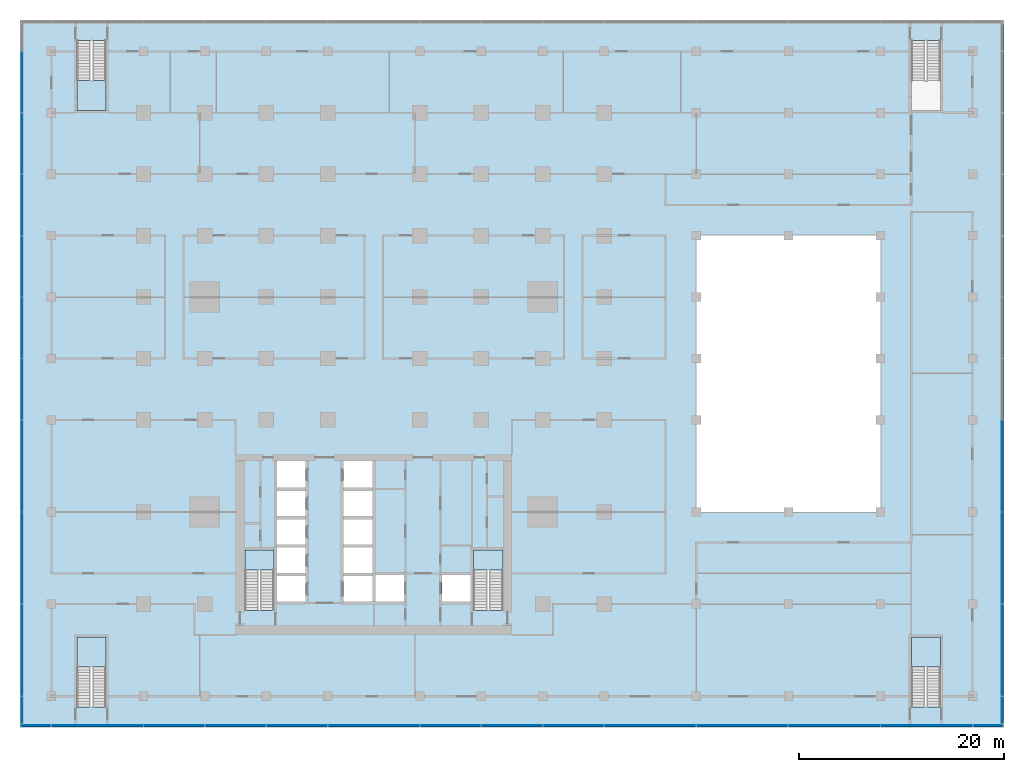
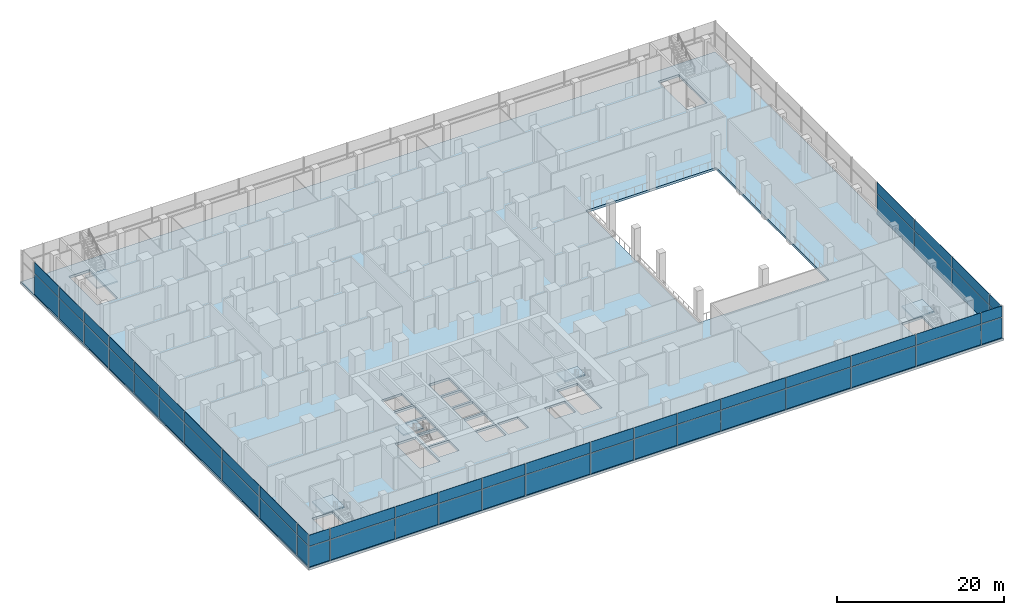
# One storey, part 10 of 22: 56 plates, 6 slabs, 8 elements without a shape of their own.
"""IFC4 building model written with IfcOpenShell, lengths in metres."""

from ifc_helpers import new_model, si_unit, direction, frame, origin, origin_2d, place, context, subcontext, project, spatial, polyline, rectangle, outline, extrude, material, layer, layer_set, type_object, element, aggregate, save


model = new_model("IFC4")

# Units and contexts
model_context = context("Model", 3, precision=1e-05, world=origin(), true_north=direction((0.0, 1.0)))
body_context = subcontext(model_context, "Body", "Model", "MODEL_VIEW")
ifc_project = project(units=[si_unit("LENGTHUNIT", "METRE"), si_unit("AREAUNIT", "SQUARE_METRE"), si_unit("VOLUMEUNIT", "CUBIC_METRE"), si_unit("PLANEANGLEUNIT", "RADIAN"), si_unit("MASSUNIT", "GRAM", prefix="KILO")], contexts=[model_context])

# Site, building, storey
site_placement = place(None, origin())
site = spatial("IfcSite", under=ifc_project, at=site_placement, CompositionType="ELEMENT")
building_placement = place(site_placement, origin())
building = spatial("IfcBuilding", under=site, at=building_placement, Name="Finial Court Residences", CompositionType="ELEMENT")
storey_placement = place(building_placement, frame((0.0, 0.0, 18.5)))
storey = spatial("IfcBuildingStorey", under=building, at=storey_placement, Name="L03", CompositionType="ELEMENT", Elevation=18.5)

# Curtain wall, plates
ifc_material_1 = material(Name="Bronze anodised aluminium", Category="aluminium")
curtain_wall_type = type_object("IfcCurtainWallType", Name="Podium curtain wall", PredefinedType="NOTDEFINED", material=ifc_material_1)
curtain_wall_1_placement = place(storey_placement, origin())
curtain_wall_1 = element("IfcCurtainWall", 1, at=curtain_wall_1_placement, inside=storey, type_object=curtain_wall_type, Name="E-L03-CW-E2", PredefinedType="NOTDEFINED")
ifc_material_2 = material(Name="Clear low-e glass", Category="glass")
ifc_layer_1 = layer(ifc_material_2, 0.035888671875)
ifc_layer_set_1 = layer_set([ifc_layer_1], Name="CW5 vision glass 36")
plate_type = type_object("IfcPlateType", Name="CW5 vision glass 36", PredefinedType="CURTAIN_PANEL", material=ifc_layer_set_1)
plate_1_placement = place(storey_placement, frame((61.35009765625, -32.8486328125, 0.0), z_axis=(0.0, 0.0, 1.0), x_axis=(0.0, 1.0, 0.0)))
plate_1 = element("IfcPlate", 2, at=plate_1_placement, type_object=plate_type, Name="CW5 glass 1.1", PredefinedType="CURTAIN_PANEL", context=body_context, shape_type="SweptSolid", body=[
    extrude(rectangle(XDim=2.617431640625, YDim=0.035888671875, at=origin_2d()), origin(), (0.0, 0.0, 1.0), 2.9599609375),
])
plate_2_placement = place(storey_placement, frame((61.35009765625, -32.8486328125, 3.0400390625), z_axis=(0.0, 0.0, 1.0), x_axis=(0.0, 1.0, 0.0)))
plate_2 = element("IfcPlate", 3, at=plate_2_placement, type_object=plate_type, Name="CW5 glass 1.2", PredefinedType="CURTAIN_PANEL", context=body_context, shape_type="SweptSolid", body=[
    extrude(rectangle(XDim=2.617431640625, YDim=0.035888671875, at=origin_2d()), origin(), (0.0, 0.0, 1.0), 1.610107421875),
])
plate_3_placement = place(storey_placement, frame((61.35009765625, -27.0, 0.0), z_axis=(0.0, 0.0, 1.0), x_axis=(0.0, 1.0, 0.0)))
plate_3 = element("IfcPlate", 4, at=plate_3_placement, type_object=plate_type, Name="CW5 glass 2.1", PredefinedType="CURTAIN_PANEL", context=body_context, shape_type="SweptSolid", body=[
    extrude(rectangle(XDim=8.919921875, YDim=0.035888671875, at=origin_2d()), origin(), (0.0, 0.0, 1.0), 2.9599609375),
])
plate_4_placement = place(storey_placement, frame((61.35009765625, -27.0, 3.0400390625), z_axis=(0.0, 0.0, 1.0), x_axis=(0.0, 1.0, 0.0)))
plate_4 = element("IfcPlate", 5, at=plate_4_placement, type_object=plate_type, Name="CW5 glass 2.2", PredefinedType="CURTAIN_PANEL", context=body_context, shape_type="SweptSolid", body=[
    extrude(rectangle(XDim=8.919921875, YDim=0.035888671875, at=origin_2d()), origin(), (0.0, 0.0, 1.0), 1.610107421875),
])
plate_5_placement = place(storey_placement, frame((61.35009765625, -18.0, 0.0), z_axis=(0.0, 0.0, 1.0), x_axis=(0.0, 1.0, 0.0)))
plate_5 = element("IfcPlate", 6, at=plate_5_placement, type_object=plate_type, Name="CW5 glass 3.1", PredefinedType="CURTAIN_PANEL", context=body_context, shape_type="SweptSolid", body=[
    extrude(rectangle(XDim=8.919921875, YDim=0.035888671875, at=origin_2d()), origin(), (0.0, 0.0, 1.0), 2.9599609375),
])
plate_6_placement = place(storey_placement, frame((61.35009765625, -18.0, 3.0400390625), z_axis=(0.0, 0.0, 1.0), x_axis=(0.0, 1.0, 0.0)))
plate_6 = element("IfcPlate", 7, at=plate_6_placement, type_object=plate_type, Name="CW5 glass 3.2", PredefinedType="CURTAIN_PANEL", context=body_context, shape_type="SweptSolid", body=[
    extrude(rectangle(XDim=8.919921875, YDim=0.035888671875, at=origin_2d()), origin(), (0.0, 0.0, 1.0), 1.610107421875),
])
plate_7_placement = place(storey_placement, frame((61.35009765625, -9.0, 0.0), z_axis=(0.0, 0.0, 1.0), x_axis=(0.0, 1.0, 0.0)))
plate_7 = element("IfcPlate", 8, at=plate_7_placement, type_object=plate_type, Name="CW5 glass 4.1", PredefinedType="CURTAIN_PANEL", context=body_context, shape_type="SweptSolid", body=[
    extrude(rectangle(XDim=8.919921875, YDim=0.035888671875, at=origin_2d()), origin(), (0.0, 0.0, 1.0), 2.9599609375),
])
plate_8_placement = place(storey_placement, frame((61.35009765625, -9.0, 3.0400390625), z_axis=(0.0, 0.0, 1.0), x_axis=(0.0, 1.0, 0.0)))
plate_8 = element("IfcPlate", 9, at=plate_8_placement, type_object=plate_type, Name="CW5 glass 4.2", PredefinedType="CURTAIN_PANEL", context=body_context, shape_type="SweptSolid", body=[
    extrude(rectangle(XDim=8.919921875, YDim=0.035888671875, at=origin_2d()), origin(), (0.0, 0.0, 1.0), 1.610107421875),
])
aggregate(curtain_wall_1, [plate_1, plate_2, plate_3, plate_4, plate_5, plate_6, plate_7, plate_8])

curtain_wall_2_placement = place(storey_placement, origin())
curtain_wall_2 = element("IfcCurtainWall", 10, at=curtain_wall_2_placement, inside=storey, type_object=curtain_wall_type, Name="E-L03-CW-S3", PredefinedType="NOTDEFINED")
plate_9_placement = place(storey_placement, frame((-32.97998046875, -34.35009765625, 0.0), z_axis=(0.0, 0.0, 1.0), x_axis=(1.0, 0.0, 0.0)))
plate_9 = element("IfcPlate", 11, at=plate_9_placement, type_object=plate_type, Name="CW5 glass 1.1", PredefinedType="CURTAIN_PANEL", context=body_context, shape_type="SweptSolid", body=[
    extrude(rectangle(XDim=2.8798828125, YDim=0.035888671875, at=origin_2d()), origin(), (0.0, 0.0, 1.0), 2.9599609375),
])
plate_10_placement = place(storey_placement, frame((-32.97998046875, -34.35009765625, 3.0400390625), z_axis=(0.0, 0.0, 1.0), x_axis=(1.0, 0.0, 0.0)))
plate_10 = element("IfcPlate", 12, at=plate_10_placement, type_object=plate_type, Name="CW5 glass 1.2", PredefinedType="CURTAIN_PANEL", context=body_context, shape_type="SweptSolid", body=[
    extrude(rectangle(XDim=2.8798828125, YDim=0.035888671875, at=origin_2d()), origin(), (0.0, 0.0, 1.0), 1.610107421875),
])
plate_11_placement = place(storey_placement, frame((-27.0, -34.35009765625, 0.0), z_axis=(0.0, 0.0, 1.0), x_axis=(1.0, 0.0, 0.0)))
plate_11 = element("IfcPlate", 13, at=plate_11_placement, type_object=plate_type, Name="CW5 glass 2.1", PredefinedType="CURTAIN_PANEL", context=body_context, shape_type="SweptSolid", body=[
    extrude(rectangle(XDim=8.919921875, YDim=0.035888671875, at=origin_2d()), origin(), (0.0, 0.0, 1.0), 2.9599609375),
])
plate_12_placement = place(storey_placement, frame((-27.0, -34.35009765625, 3.0400390625), z_axis=(0.0, 0.0, 1.0), x_axis=(1.0, 0.0, 0.0)))
plate_12 = element("IfcPlate", 14, at=plate_12_placement, type_object=plate_type, Name="CW5 glass 2.2", PredefinedType="CURTAIN_PANEL", context=body_context, shape_type="SweptSolid", body=[
    extrude(rectangle(XDim=8.919921875, YDim=0.035888671875, at=origin_2d()), origin(), (0.0, 0.0, 1.0), 1.610107421875),
])
plate_13_placement = place(storey_placement, frame((-19.5, -34.35009765625, 0.0), z_axis=(0.0, 0.0, 1.0), x_axis=(1.0, 0.0, 0.0)))
plate_13 = element("IfcPlate", 15, at=plate_13_placement, type_object=plate_type, Name="CW5 glass 3.1", PredefinedType="CURTAIN_PANEL", context=body_context, shape_type="SweptSolid", body=[
    extrude(rectangle(XDim=5.919921875, YDim=0.035888671875, at=origin_2d()), origin(), (0.0, 0.0, 1.0), 2.9599609375),
])
plate_14_placement = place(storey_placement, frame((-19.5, -34.35009765625, 3.0400390625), z_axis=(0.0, 0.0, 1.0), x_axis=(1.0, 0.0, 0.0)))
plate_14 = element("IfcPlate", 16, at=plate_14_placement, type_object=plate_type, Name="CW5 glass 3.2", PredefinedType="CURTAIN_PANEL", context=body_context, shape_type="SweptSolid", body=[
    extrude(rectangle(XDim=5.919921875, YDim=0.035888671875, at=origin_2d()), origin(), (0.0, 0.0, 1.0), 1.610107421875),
])
plate_15_placement = place(storey_placement, frame((-13.5, -34.35009765625, 0.0), z_axis=(0.0, 0.0, 1.0), x_axis=(1.0, 0.0, 0.0)))
plate_15 = element("IfcPlate", 17, at=plate_15_placement, type_object=plate_type, Name="CW5 glass 4.1", PredefinedType="CURTAIN_PANEL", context=body_context, shape_type="SweptSolid", body=[
    extrude(rectangle(XDim=5.919921875, YDim=0.035888671875, at=origin_2d()), origin(), (0.0, 0.0, 1.0), 2.9599609375),
])
plate_16_placement = place(storey_placement, frame((-13.5, -34.35009765625, 3.0400390625), z_axis=(0.0, 0.0, 1.0), x_axis=(1.0, 0.0, 0.0)))
plate_16 = element("IfcPlate", 18, at=plate_16_placement, type_object=plate_type, Name="CW5 glass 4.2", PredefinedType="CURTAIN_PANEL", context=body_context, shape_type="SweptSolid", body=[
    extrude(rectangle(XDim=5.919921875, YDim=0.035888671875, at=origin_2d()), origin(), (0.0, 0.0, 1.0), 1.610107421875),
])
plate_17_placement = place(storey_placement, frame((-7.5, -34.35009765625, 0.0), z_axis=(0.0, 0.0, 1.0), x_axis=(1.0, 0.0, 0.0)))
plate_17 = element("IfcPlate", 19, at=plate_17_placement, type_object=plate_type, Name="CW5 glass 5.1", PredefinedType="CURTAIN_PANEL", context=body_context, shape_type="SweptSolid", body=[
    extrude(rectangle(XDim=5.919921875, YDim=0.035888671875, at=origin_2d()), origin(), (0.0, 0.0, 1.0), 2.9599609375),
])
plate_18_placement = place(storey_placement, frame((-7.5, -34.35009765625, 3.0400390625), z_axis=(0.0, 0.0, 1.0), x_axis=(1.0, 0.0, 0.0)))
plate_18 = element("IfcPlate", 20, at=plate_18_placement, type_object=plate_type, Name="CW5 glass 5.2", PredefinedType="CURTAIN_PANEL", context=body_context, shape_type="SweptSolid", body=[
    extrude(rectangle(XDim=5.919921875, YDim=0.035888671875, at=origin_2d()), origin(), (0.0, 0.0, 1.0), 1.610107421875),
])
plate_19_placement = place(storey_placement, frame((0.0, -34.35009765625, 0.0), z_axis=(0.0, 0.0, 1.0), x_axis=(1.0, 0.0, 0.0)))
plate_19 = element("IfcPlate", 21, at=plate_19_placement, type_object=plate_type, Name="CW5 glass 6.1", PredefinedType="CURTAIN_PANEL", context=body_context, shape_type="SweptSolid", body=[
    extrude(rectangle(XDim=8.919921875, YDim=0.035888671875, at=origin_2d()), origin(), (0.0, 0.0, 1.0), 2.9599609375),
])
plate_20_placement = place(storey_placement, frame((0.0, -34.35009765625, 3.0400390625), z_axis=(0.0, 0.0, 1.0), x_axis=(1.0, 0.0, 0.0)))
plate_20 = element("IfcPlate", 22, at=plate_20_placement, type_object=plate_type, Name="CW5 glass 6.2", PredefinedType="CURTAIN_PANEL", context=body_context, shape_type="SweptSolid", body=[
    extrude(rectangle(XDim=8.919921875, YDim=0.035888671875, at=origin_2d()), origin(), (0.0, 0.0, 1.0), 1.610107421875),
])
plate_21_placement = place(storey_placement, frame((7.5, -34.35009765625, 0.0), z_axis=(0.0, 0.0, 1.0), x_axis=(1.0, 0.0, 0.0)))
plate_21 = element("IfcPlate", 23, at=plate_21_placement, type_object=plate_type, Name="CW5 glass 7.1", PredefinedType="CURTAIN_PANEL", context=body_context, shape_type="SweptSolid", body=[
    extrude(rectangle(XDim=5.919921875, YDim=0.035888671875, at=origin_2d()), origin(), (0.0, 0.0, 1.0), 2.9599609375),
])
plate_22_placement = place(storey_placement, frame((7.5, -34.35009765625, 3.0400390625), z_axis=(0.0, 0.0, 1.0), x_axis=(1.0, 0.0, 0.0)))
plate_22 = element("IfcPlate", 24, at=plate_22_placement, type_object=plate_type, Name="CW5 glass 7.2", PredefinedType="CURTAIN_PANEL", context=body_context, shape_type="SweptSolid", body=[
    extrude(rectangle(XDim=5.919921875, YDim=0.035888671875, at=origin_2d()), origin(), (0.0, 0.0, 1.0), 1.610107421875),
])
plate_23_placement = place(storey_placement, frame((13.5, -34.35009765625, 0.0), z_axis=(0.0, 0.0, 1.0), x_axis=(1.0, 0.0, 0.0)))
plate_23 = element("IfcPlate", 25, at=plate_23_placement, type_object=plate_type, Name="CW5 glass 8.1", PredefinedType="CURTAIN_PANEL", context=body_context, shape_type="SweptSolid", body=[
    extrude(rectangle(XDim=5.919921875, YDim=0.035888671875, at=origin_2d()), origin(), (0.0, 0.0, 1.0), 2.9599609375),
])
plate_24_placement = place(storey_placement, frame((13.5, -34.35009765625, 3.0400390625), z_axis=(0.0, 0.0, 1.0), x_axis=(1.0, 0.0, 0.0)))
plate_24 = element("IfcPlate", 26, at=plate_24_placement, type_object=plate_type, Name="CW5 glass 8.2", PredefinedType="CURTAIN_PANEL", context=body_context, shape_type="SweptSolid", body=[
    extrude(rectangle(XDim=5.919921875, YDim=0.035888671875, at=origin_2d()), origin(), (0.0, 0.0, 1.0), 1.610107421875),
])
plate_25_placement = place(storey_placement, frame((19.5, -34.35009765625, 0.0), z_axis=(0.0, 0.0, 1.0), x_axis=(1.0, 0.0, 0.0)))
plate_25 = element("IfcPlate", 27, at=plate_25_placement, type_object=plate_type, Name="CW5 glass 9.1", PredefinedType="CURTAIN_PANEL", context=body_context, shape_type="SweptSolid", body=[
    extrude(rectangle(XDim=5.919921875, YDim=0.035888671875, at=origin_2d()), origin(), (0.0, 0.0, 1.0), 2.9599609375),
])
plate_26_placement = place(storey_placement, frame((19.5, -34.35009765625, 3.0400390625), z_axis=(0.0, 0.0, 1.0), x_axis=(1.0, 0.0, 0.0)))
plate_26 = element("IfcPlate", 28, at=plate_26_placement, type_object=plate_type, Name="CW5 glass 9.2", PredefinedType="CURTAIN_PANEL", context=body_context, shape_type="SweptSolid", body=[
    extrude(rectangle(XDim=5.919921875, YDim=0.035888671875, at=origin_2d()), origin(), (0.0, 0.0, 1.0), 1.610107421875),
])
plate_27_placement = place(storey_placement, frame((27.0, -34.35009765625, 0.0), z_axis=(0.0, 0.0, 1.0), x_axis=(1.0, 0.0, 0.0)))
plate_27 = element("IfcPlate", 29, at=plate_27_placement, type_object=plate_type, Name="CW5 glass 10.1", PredefinedType="CURTAIN_PANEL", context=body_context, shape_type="SweptSolid", body=[
    extrude(rectangle(XDim=8.919921875, YDim=0.035888671875, at=origin_2d()), origin(), (0.0, 0.0, 1.0), 2.9599609375),
])
plate_28_placement = place(storey_placement, frame((27.0, -34.35009765625, 3.0400390625), z_axis=(0.0, 0.0, 1.0), x_axis=(1.0, 0.0, 0.0)))
plate_28 = element("IfcPlate", 30, at=plate_28_placement, type_object=plate_type, Name="CW5 glass 10.2", PredefinedType="CURTAIN_PANEL", context=body_context, shape_type="SweptSolid", body=[
    extrude(rectangle(XDim=8.919921875, YDim=0.035888671875, at=origin_2d()), origin(), (0.0, 0.0, 1.0), 1.610107421875),
])
plate_29_placement = place(storey_placement, frame((36.0, -34.35009765625, 0.0), z_axis=(0.0, 0.0, 1.0), x_axis=(1.0, 0.0, 0.0)))
plate_29 = element("IfcPlate", 31, at=plate_29_placement, type_object=plate_type, Name="CW5 glass 11.1", PredefinedType="CURTAIN_PANEL", context=body_context, shape_type="SweptSolid", body=[
    extrude(rectangle(XDim=8.919921875, YDim=0.035888671875, at=origin_2d()), origin(), (0.0, 0.0, 1.0), 2.9599609375),
])
plate_30_placement = place(storey_placement, frame((36.0, -34.35009765625, 3.0400390625), z_axis=(0.0, 0.0, 1.0), x_axis=(1.0, 0.0, 0.0)))
plate_30 = element("IfcPlate", 32, at=plate_30_placement, type_object=plate_type, Name="CW5 glass 11.2", PredefinedType="CURTAIN_PANEL", context=body_context, shape_type="SweptSolid", body=[
    extrude(rectangle(XDim=8.919921875, YDim=0.035888671875, at=origin_2d()), origin(), (0.0, 0.0, 1.0), 1.610107421875),
])
plate_31_placement = place(storey_placement, frame((45.0, -34.35009765625, 0.0), z_axis=(0.0, 0.0, 1.0), x_axis=(1.0, 0.0, 0.0)))
plate_31 = element("IfcPlate", 33, at=plate_31_placement, type_object=plate_type, Name="CW5 glass 12.1", PredefinedType="CURTAIN_PANEL", context=body_context, shape_type="SweptSolid", body=[
    extrude(rectangle(XDim=8.919921875, YDim=0.035888671875, at=origin_2d()), origin(), (0.0, 0.0, 1.0), 2.9599609375),
])
plate_32_placement = place(storey_placement, frame((45.0, -34.35009765625, 3.0400390625), z_axis=(0.0, 0.0, 1.0), x_axis=(1.0, 0.0, 0.0)))
plate_32 = element("IfcPlate", 34, at=plate_32_placement, type_object=plate_type, Name="CW5 glass 12.2", PredefinedType="CURTAIN_PANEL", context=body_context, shape_type="SweptSolid", body=[
    extrude(rectangle(XDim=8.919921875, YDim=0.035888671875, at=origin_2d()), origin(), (0.0, 0.0, 1.0), 1.610107421875),
])
plate_33_placement = place(storey_placement, frame((54.0, -34.35009765625, 0.0), z_axis=(0.0, 0.0, 1.0), x_axis=(1.0, 0.0, 0.0)))
plate_33 = element("IfcPlate", 35, at=plate_33_placement, type_object=plate_type, Name="CW5 glass 13.1", PredefinedType="CURTAIN_PANEL", context=body_context, shape_type="SweptSolid", body=[
    extrude(rectangle(XDim=8.919921875, YDim=0.035888671875, at=origin_2d()), origin(), (0.0, 0.0, 1.0), 2.9599609375),
])
plate_34_placement = place(storey_placement, frame((54.0, -34.35009765625, 3.0400390625), z_axis=(0.0, 0.0, 1.0), x_axis=(1.0, 0.0, 0.0)))
plate_34 = element("IfcPlate", 36, at=plate_34_placement, type_object=plate_type, Name="CW5 glass 13.2", PredefinedType="CURTAIN_PANEL", context=body_context, shape_type="SweptSolid", body=[
    extrude(rectangle(XDim=8.919921875, YDim=0.035888671875, at=origin_2d()), origin(), (0.0, 0.0, 1.0), 1.610107421875),
])
plate_35_placement = place(storey_placement, frame((59.97998046875, -34.35009765625, 0.0), z_axis=(0.0, 0.0, 1.0), x_axis=(1.0, 0.0, 0.0)))
plate_35 = element("IfcPlate", 37, at=plate_35_placement, type_object=plate_type, Name="CW5 glass 14.1", PredefinedType="CURTAIN_PANEL", context=body_context, shape_type="SweptSolid", body=[
    extrude(rectangle(XDim=2.8798828125, YDim=0.035888671875, at=origin_2d()), origin(), (0.0, 0.0, 1.0), 2.9599609375),
])
plate_36_placement = place(storey_placement, frame((59.97998046875, -34.35009765625, 3.0400390625), z_axis=(0.0, 0.0, 1.0), x_axis=(1.0, 0.0, 0.0)))
plate_36 = element("IfcPlate", 38, at=plate_36_placement, type_object=plate_type, Name="CW5 glass 14.2", PredefinedType="CURTAIN_PANEL", context=body_context, shape_type="SweptSolid", body=[
    extrude(rectangle(XDim=2.8798828125, YDim=0.035888671875, at=origin_2d()), origin(), (0.0, 0.0, 1.0), 1.610107421875),
])
aggregate(curtain_wall_2, [plate_9, plate_10, plate_11, plate_12, plate_13, plate_14, plate_15, plate_16, plate_17, plate_18, plate_19, plate_20, plate_21, plate_22, plate_23, plate_24, plate_25, plate_26, plate_27, plate_28, plate_29, plate_30, plate_31, plate_32, plate_33, plate_34, plate_35, plate_36])

curtain_wall_3_placement = place(storey_placement, origin())
curtain_wall_3 = element("IfcCurtainWall", 39, at=curtain_wall_3_placement, inside=storey, type_object=curtain_wall_type, Name="E-L03-CW-W4", PredefinedType="NOTDEFINED")
plate_37_placement = place(storey_placement, frame((-34.35009765625, -32.8486328125, 0.0), z_axis=(0.0, 0.0, 1.0), x_axis=(0.0, 1.0, 0.0)))
plate_37 = element("IfcPlate", 40, at=plate_37_placement, type_object=plate_type, Name="CW5 glass 1.1", PredefinedType="CURTAIN_PANEL", context=body_context, shape_type="SweptSolid", body=[
    extrude(rectangle(XDim=2.617431640625, YDim=0.035888671875, at=origin_2d()), origin(), (0.0, 0.0, 1.0), 2.9599609375),
])
plate_38_placement = place(storey_placement, frame((-34.35009765625, -32.8486328125, 3.0400390625), z_axis=(0.0, 0.0, 1.0), x_axis=(0.0, 1.0, 0.0)))
plate_38 = element("IfcPlate", 41, at=plate_38_placement, type_object=plate_type, Name="CW5 glass 1.2", PredefinedType="CURTAIN_PANEL", context=body_context, shape_type="SweptSolid", body=[
    extrude(rectangle(XDim=2.617431640625, YDim=0.035888671875, at=origin_2d()), origin(), (0.0, 0.0, 1.0), 1.610107421875),
])
plate_39_placement = place(storey_placement, frame((-34.35009765625, -27.0, 0.0), z_axis=(0.0, 0.0, 1.0), x_axis=(0.0, 1.0, 0.0)))
plate_39 = element("IfcPlate", 42, at=plate_39_placement, type_object=plate_type, Name="CW5 glass 2.1", PredefinedType="CURTAIN_PANEL", context=body_context, shape_type="SweptSolid", body=[
    extrude(rectangle(XDim=8.919921875, YDim=0.035888671875, at=origin_2d()), origin(), (0.0, 0.0, 1.0), 2.9599609375),
])
plate_40_placement = place(storey_placement, frame((-34.35009765625, -27.0, 3.0400390625), z_axis=(0.0, 0.0, 1.0), x_axis=(0.0, 1.0, 0.0)))
plate_40 = element("IfcPlate", 43, at=plate_40_placement, type_object=plate_type, Name="CW5 glass 2.2", PredefinedType="CURTAIN_PANEL", context=body_context, shape_type="SweptSolid", body=[
    extrude(rectangle(XDim=8.919921875, YDim=0.035888671875, at=origin_2d()), origin(), (0.0, 0.0, 1.0), 1.610107421875),
])
plate_41_placement = place(storey_placement, frame((-34.35009765625, -18.0, 0.0), z_axis=(0.0, 0.0, 1.0), x_axis=(0.0, 1.0, 0.0)))
plate_41 = element("IfcPlate", 44, at=plate_41_placement, type_object=plate_type, Name="CW5 glass 3.1", PredefinedType="CURTAIN_PANEL", context=body_context, shape_type="SweptSolid", body=[
    extrude(rectangle(XDim=8.919921875, YDim=0.035888671875, at=origin_2d()), origin(), (0.0, 0.0, 1.0), 2.9599609375),
])
plate_42_placement = place(storey_placement, frame((-34.35009765625, -18.0, 3.0400390625), z_axis=(0.0, 0.0, 1.0), x_axis=(0.0, 1.0, 0.0)))
plate_42 = element("IfcPlate", 45, at=plate_42_placement, type_object=plate_type, Name="CW5 glass 3.2", PredefinedType="CURTAIN_PANEL", context=body_context, shape_type="SweptSolid", body=[
    extrude(rectangle(XDim=8.919921875, YDim=0.035888671875, at=origin_2d()), origin(), (0.0, 0.0, 1.0), 1.610107421875),
])
plate_43_placement = place(storey_placement, frame((-34.35009765625, -9.0, 0.0), z_axis=(0.0, 0.0, 1.0), x_axis=(0.0, 1.0, 0.0)))
plate_43 = element("IfcPlate", 46, at=plate_43_placement, type_object=plate_type, Name="CW5 glass 4.1", PredefinedType="CURTAIN_PANEL", context=body_context, shape_type="SweptSolid", body=[
    extrude(rectangle(XDim=8.919921875, YDim=0.035888671875, at=origin_2d()), origin(), (0.0, 0.0, 1.0), 2.9599609375),
])
plate_44_placement = place(storey_placement, frame((-34.35009765625, -9.0, 3.0400390625), z_axis=(0.0, 0.0, 1.0), x_axis=(0.0, 1.0, 0.0)))
plate_44 = element("IfcPlate", 47, at=plate_44_placement, type_object=plate_type, Name="CW5 glass 4.2", PredefinedType="CURTAIN_PANEL", context=body_context, shape_type="SweptSolid", body=[
    extrude(rectangle(XDim=8.919921875, YDim=0.035888671875, at=origin_2d()), origin(), (0.0, 0.0, 1.0), 1.610107421875),
])
plate_45_placement = place(storey_placement, frame((-34.35009765625, -1.5, 0.0), z_axis=(0.0, 0.0, 1.0), x_axis=(0.0, 1.0, 0.0)))
plate_45 = element("IfcPlate", 48, at=plate_45_placement, type_object=plate_type, Name="CW5 glass 5.1", PredefinedType="CURTAIN_PANEL", context=body_context, shape_type="SweptSolid", body=[
    extrude(rectangle(XDim=5.919921875, YDim=0.035888671875, at=origin_2d()), origin(), (0.0, 0.0, 1.0), 2.9599609375),
])
plate_46_placement = place(storey_placement, frame((-34.35009765625, -1.5, 3.0400390625), z_axis=(0.0, 0.0, 1.0), x_axis=(0.0, 1.0, 0.0)))
plate_46 = element("IfcPlate", 49, at=plate_46_placement, type_object=plate_type, Name="CW5 glass 5.2", PredefinedType="CURTAIN_PANEL", context=body_context, shape_type="SweptSolid", body=[
    extrude(rectangle(XDim=5.919921875, YDim=0.035888671875, at=origin_2d()), origin(), (0.0, 0.0, 1.0), 1.610107421875),
])
plate_47_placement = place(storey_placement, frame((-34.35009765625, 4.5, 0.0), z_axis=(0.0, 0.0, 1.0), x_axis=(0.0, 1.0, 0.0)))
plate_47 = element("IfcPlate", 50, at=plate_47_placement, type_object=plate_type, Name="CW5 glass 6.1", PredefinedType="CURTAIN_PANEL", context=body_context, shape_type="SweptSolid", body=[
    extrude(rectangle(XDim=5.919921875, YDim=0.035888671875, at=origin_2d()), origin(), (0.0, 0.0, 1.0), 2.9599609375),
])
plate_48_placement = place(storey_placement, frame((-34.35009765625, 4.5, 3.0400390625), z_axis=(0.0, 0.0, 1.0), x_axis=(0.0, 1.0, 0.0)))
plate_48 = element("IfcPlate", 51, at=plate_48_placement, type_object=plate_type, Name="CW5 glass 6.2", PredefinedType="CURTAIN_PANEL", context=body_context, shape_type="SweptSolid", body=[
    extrude(rectangle(XDim=5.919921875, YDim=0.035888671875, at=origin_2d()), origin(), (0.0, 0.0, 1.0), 1.610107421875),
])
plate_49_placement = place(storey_placement, frame((-34.35009765625, 10.5, 0.0), z_axis=(0.0, 0.0, 1.0), x_axis=(0.0, 1.0, 0.0)))
plate_49 = element("IfcPlate", 52, at=plate_49_placement, type_object=plate_type, Name="CW5 glass 7.1", PredefinedType="CURTAIN_PANEL", context=body_context, shape_type="SweptSolid", body=[
    extrude(rectangle(XDim=5.919921875, YDim=0.035888671875, at=origin_2d()), origin(), (0.0, 0.0, 1.0), 2.9599609375),
])
plate_50_placement = place(storey_placement, frame((-34.35009765625, 10.5, 3.0400390625), z_axis=(0.0, 0.0, 1.0), x_axis=(0.0, 1.0, 0.0)))
plate_50 = element("IfcPlate", 53, at=plate_50_placement, type_object=plate_type, Name="CW5 glass 7.2", PredefinedType="CURTAIN_PANEL", context=body_context, shape_type="SweptSolid", body=[
    extrude(rectangle(XDim=5.919921875, YDim=0.035888671875, at=origin_2d()), origin(), (0.0, 0.0, 1.0), 1.610107421875),
])
plate_51_placement = place(storey_placement, frame((-34.35009765625, 16.5, 0.0), z_axis=(0.0, 0.0, 1.0), x_axis=(0.0, 1.0, 0.0)))
plate_51 = element("IfcPlate", 54, at=plate_51_placement, type_object=plate_type, Name="CW5 glass 8.1", PredefinedType="CURTAIN_PANEL", context=body_context, shape_type="SweptSolid", body=[
    extrude(rectangle(XDim=5.919921875, YDim=0.035888671875, at=origin_2d()), origin(), (0.0, 0.0, 1.0), 2.9599609375),
])
plate_52_placement = place(storey_placement, frame((-34.35009765625, 16.5, 3.0400390625), z_axis=(0.0, 0.0, 1.0), x_axis=(0.0, 1.0, 0.0)))
plate_52 = element("IfcPlate", 55, at=plate_52_placement, type_object=plate_type, Name="CW5 glass 8.2", PredefinedType="CURTAIN_PANEL", context=body_context, shape_type="SweptSolid", body=[
    extrude(rectangle(XDim=5.919921875, YDim=0.035888671875, at=origin_2d()), origin(), (0.0, 0.0, 1.0), 1.610107421875),
])
plate_53_placement = place(storey_placement, frame((-34.35009765625, 22.5, 0.0), z_axis=(0.0, 0.0, 1.0), x_axis=(0.0, 1.0, 0.0)))
plate_53 = element("IfcPlate", 56, at=plate_53_placement, type_object=plate_type, Name="CW5 glass 9.1", PredefinedType="CURTAIN_PANEL", context=body_context, shape_type="SweptSolid", body=[
    extrude(rectangle(XDim=5.919921875, YDim=0.035888671875, at=origin_2d()), origin(), (0.0, 0.0, 1.0), 2.9599609375),
])
plate_54_placement = place(storey_placement, frame((-34.35009765625, 22.5, 3.0400390625), z_axis=(0.0, 0.0, 1.0), x_axis=(0.0, 1.0, 0.0)))
plate_54 = element("IfcPlate", 57, at=plate_54_placement, type_object=plate_type, Name="CW5 glass 9.2", PredefinedType="CURTAIN_PANEL", context=body_context, shape_type="SweptSolid", body=[
    extrude(rectangle(XDim=5.919921875, YDim=0.035888671875, at=origin_2d()), origin(), (0.0, 0.0, 1.0), 1.610107421875),
])
plate_55_placement = place(storey_placement, frame((-34.35009765625, 28.5, 0.0), z_axis=(0.0, 0.0, 1.0), x_axis=(0.0, 1.0, 0.0)))
plate_55 = element("IfcPlate", 58, at=plate_55_placement, type_object=plate_type, Name="CW5 glass 10.1", PredefinedType="CURTAIN_PANEL", context=body_context, shape_type="SweptSolid", body=[
    extrude(rectangle(XDim=5.919921875, YDim=0.035888671875, at=origin_2d()), origin(), (0.0, 0.0, 1.0), 2.9599609375),
])
plate_56_placement = place(storey_placement, frame((-34.35009765625, 28.5, 3.0400390625), z_axis=(0.0, 0.0, 1.0), x_axis=(0.0, 1.0, 0.0)))
plate_56 = element("IfcPlate", 59, at=plate_56_placement, type_object=plate_type, Name="CW5 glass 10.2", PredefinedType="CURTAIN_PANEL", context=body_context, shape_type="SweptSolid", body=[
    extrude(rectangle(XDim=5.919921875, YDim=0.035888671875, at=origin_2d()), origin(), (0.0, 0.0, 1.0), 1.610107421875),
])
aggregate(curtain_wall_3, [plate_37, plate_38, plate_39, plate_40, plate_41, plate_42, plate_43, plate_44, plate_45, plate_46, plate_47, plate_48, plate_49, plate_50, plate_51, plate_52, plate_53, plate_54, plate_55, plate_56])

# Stair, slab
ifc_material_3 = material(Name="Concrete C50/60", Category="concrete")
stair_type = type_object("IfcStairType", Name="Exit stair 30 risers of 166.7 mm", PredefinedType="HALF_TURN_STAIR", material=ifc_material_3)
stair_1_placement = place(storey_placement, origin())
stair_1 = element("IfcStair", 60, at=stair_1_placement, inside=storey, type_object=stair_type, Name="L03 Exit stair ST-1", PredefinedType="HALF_TURN_STAIR")
ifc_layer_2 = layer(ifc_material_3, 0.199951171875)
ifc_layer_set_2 = layer_set([ifc_layer_2], Name="Exit stair landing")
slab_type_1 = type_object("IfcSlabType", Name="Exit stair landing", PredefinedType="LANDING", material=ifc_layer_set_2)
slab_1_placement = place(storey_placement, frame((0.0, 0.0, 2.300048828125)))
slab_1 = element("IfcSlab", 61, at=slab_1_placement, type_object=slab_type_1, Name="ST-1 landing 1", PredefinedType="LANDING", context=body_context, shape_type="SweptSolid", body=[
    extrude(outline(polyline([(-9.75, -19.179931640625), (-9.75, -17.199951171875), (-12.60009765625, -17.199951171875), (-12.60009765625, -19.179931640625), (-9.75, -19.179931640625)])), origin(), (0.0, 0.0, 1.0), 0.199951171875),
])
aggregate(stair_1, [slab_1])

stair_2_placement = place(storey_placement, origin())
stair_2 = element("IfcStair", 62, at=stair_2_placement, inside=storey, type_object=stair_type, Name="L03 Exit stair ST-2", PredefinedType="HALF_TURN_STAIR")
slab_2_placement = place(storey_placement, frame((0.0, 0.0, 2.300048828125)))
slab_2 = element("IfcSlab", 63, at=slab_2_placement, type_object=slab_type_1, Name="ST-2 landing 1", PredefinedType="LANDING", context=body_context, shape_type="SweptSolid", body=[
    extrude(outline(polyline([(12.60009765625, -19.179931640625), (12.60009765625, -17.199951171875), (9.75, -17.199951171875), (9.75, -19.179931640625), (12.60009765625, -19.179931640625)])), origin(), (0.0, 0.0, 1.0), 0.199951171875),
])
aggregate(stair_2, [slab_2])

stair_3_placement = place(storey_placement, origin())
stair_3 = element("IfcStair", 64, at=stair_3_placement, inside=storey, type_object=stair_type, Name="L03 Exit Stair 3", PredefinedType="HALF_TURN_STAIR")
slab_3_placement = place(storey_placement, frame((0.0, 0.0, 2.300048828125)))
slab_3 = element("IfcSlab", 65, at=slab_3_placement, type_object=slab_type_1, Name="ST-3 landing 1", PredefinedType="LANDING", context=body_context, shape_type="SweptSolid", body=[
    extrude(outline(polyline([(55.35009765625, -28.6298828125), (55.35009765625, -25.719970703125), (52.5, -25.719970703125), (52.5, -28.6298828125), (55.35009765625, -28.6298828125)])), origin(), (0.0, 0.0, 1.0), 0.199951171875),
])
aggregate(stair_3, [slab_3])

stair_4_placement = place(storey_placement, origin())
stair_4 = element("IfcStair", 66, at=stair_4_placement, inside=storey, type_object=stair_type, Name="L03 Exit Stair 4", PredefinedType="HALF_TURN_STAIR")
slab_4_placement = place(storey_placement, frame((0.0, 0.0, 2.300048828125)))
slab_4 = element("IfcSlab", 67, at=slab_4_placement, type_object=slab_type_1, Name="ST-4 landing 1", PredefinedType="LANDING", context=body_context, shape_type="SweptSolid", body=[
    extrude(outline(polyline([(-26.14990234375, -28.6298828125), (-26.14990234375, -25.719970703125), (-29.0, -25.719970703125), (-29.0, -28.6298828125), (-26.14990234375, -28.6298828125)])), origin(), (0.0, 0.0, 1.0), 0.199951171875),
])
aggregate(stair_4, [slab_4])

stair_5_placement = place(storey_placement, origin())
stair_5 = element("IfcStair", 68, at=stair_5_placement, inside=storey, type_object=stair_type, Name="L03 Exit Stair 6", PredefinedType="HALF_TURN_STAIR")
slab_5_placement = place(storey_placement, frame((0.0, 0.0, 2.300048828125)))
slab_5 = element("IfcSlab", 69, at=slab_5_placement, type_object=slab_type_1, Name="ST-6 landing 1", PredefinedType="LANDING", context=body_context, shape_type="SweptSolid", body=[
    extrude(outline(polyline([(-29.0, 28.6298828125), (-29.0, 25.719970703125), (-26.14990234375, 25.719970703125), (-26.14990234375, 28.6298828125), (-29.0, 28.6298828125)])), origin(), (0.0, 0.0, 1.0), 0.199951171875),
])
aggregate(stair_5, [slab_5])

# Slab
ifc_material_4 = material(Name="Concrete C40/50", Category="concrete")
ifc_layer_3 = layer(ifc_material_4, 0.35009765625)
ifc_layer_set_3 = layer_set([ifc_layer_3], Name="Flat plate slab 350 Concrete C40/50")
slab_type_2 = type_object("IfcSlabType", Name="Flat plate slab 350 Concrete C40/50", PredefinedType="FLOOR", material=ifc_layer_set_3)
slab_6_placement = place(storey_placement, frame((0.0, 0.0, -0.35009765625)))
element("IfcSlab", 70, at=slab_6_placement, inside=storey, type_object=slab_type_2, Name="S:SLAB:L03", PredefinedType="FLOOR", context=body_context, shape_type="SweptSolid", body=[
    extrude(outline(polyline([(-34.5, 34.5), (61.5, 34.5), (61.5, -34.5), (-34.5, -34.5), (-34.5, 34.5)]), holes=[polyline([(31.5, 13.5), (31.5, -13.5), (49.5, -13.5), (49.5, 13.5), (31.5, 13.5)]), polyline([(-26.14990234375, -25.719970703125), (-29.0, -25.719970703125), (-29.0, -32.549072265625), (-26.14990234375, -32.549072265625), (-26.14990234375, -25.719970703125)]), polyline([(-6.64990234375, -22.25), (-6.64990234375, -19.77001953125), (-9.449951171875, -19.77001953125), (-9.449951171875, -22.25), (-6.64990234375, -22.25)]), polyline([(-9.75, -17.199951171875), (-12.60009765625, -17.199951171875), (-12.60009765625, -23.09912109375), (-9.75, -23.09912109375), (-9.75, -17.199951171875)]), polyline([(-6.64990234375, -19.469970703125), (-6.64990234375, -16.989990234375), (-9.449951171875, -16.989990234375), (-9.449951171875, -19.469970703125), (-6.64990234375, -19.469970703125)]), polyline([(-6.64990234375, -16.68994140625), (-6.64990234375, -14.2099609375), (-9.449951171875, -14.2099609375), (-9.449951171875, -16.68994140625), (-6.64990234375, -16.68994140625)]), polyline([(-0.14990234375, -16.68994140625), (-0.14990234375, -14.2099609375), (-2.949951171875, -14.2099609375), (-2.949951171875, -16.68994140625), (-0.14990234375, -16.68994140625)]), polyline([(-6.64990234375, -13.909912109375), (-6.64990234375, -11.429931640625), (-9.449951171875, -11.429931640625), (-9.449951171875, -13.909912109375), (-6.64990234375, -13.909912109375)]), polyline([(-9.449951171875, -11.1298828125), (-6.64990234375, -11.1298828125), (-6.64990234375, -8.5), (-9.449951171875, -8.5), (-9.449951171875, -11.1298828125)]), polyline([(-26.14990234375, 25.719970703125), (-26.14990234375, 32.549072265625), (-29.0, 32.549072265625), (-29.0, 25.719970703125), (-26.14990234375, 25.719970703125)]), polyline([(55.35009765625, -25.719970703125), (52.5, -25.719970703125), (52.5, -32.549072265625), (55.35009765625, -32.549072265625), (55.35009765625, -25.719970703125)]), polyline([(-0.14990234375, -22.25), (-0.14990234375, -19.77001953125), (-2.949951171875, -19.77001953125), (-2.949951171875, -22.25), (-0.14990234375, -22.25)]), polyline([(2.949951171875, -22.25), (2.949951171875, -19.64990234375), (0.14990234375, -19.64990234375), (0.14990234375, -22.25), (2.949951171875, -22.25)]), polyline([(9.449951171875, -22.25), (9.449951171875, -19.64990234375), (6.64990234375, -19.64990234375), (6.64990234375, -22.25), (9.449951171875, -22.25)]), polyline([(12.60009765625, -17.199951171875), (9.75, -17.199951171875), (9.75, -23.09912109375), (12.60009765625, -23.09912109375), (12.60009765625, -17.199951171875)]), polyline([(-0.14990234375, -19.469970703125), (-0.14990234375, -16.989990234375), (-2.949951171875, -16.989990234375), (-2.949951171875, -19.469970703125), (-0.14990234375, -19.469970703125)]), polyline([(-0.14990234375, -13.909912109375), (-0.14990234375, -11.429931640625), (-2.949951171875, -11.429931640625), (-2.949951171875, -13.909912109375), (-0.14990234375, -13.909912109375)]), polyline([(-2.949951171875, -11.1298828125), (-0.14990234375, -11.1298828125), (-0.14990234375, -8.5), (-2.949951171875, -8.5), (-2.949951171875, -11.1298828125)]), polyline([(55.35009765625, 25.719970703125), (55.35009765625, 32.549072265625), (52.5, 32.549072265625), (52.5, 25.719970703125), (55.35009765625, 25.719970703125)])]), origin(), (0.0, 0.0, 1.0), 0.35009765625),
])

save(model, "model.ifc")
